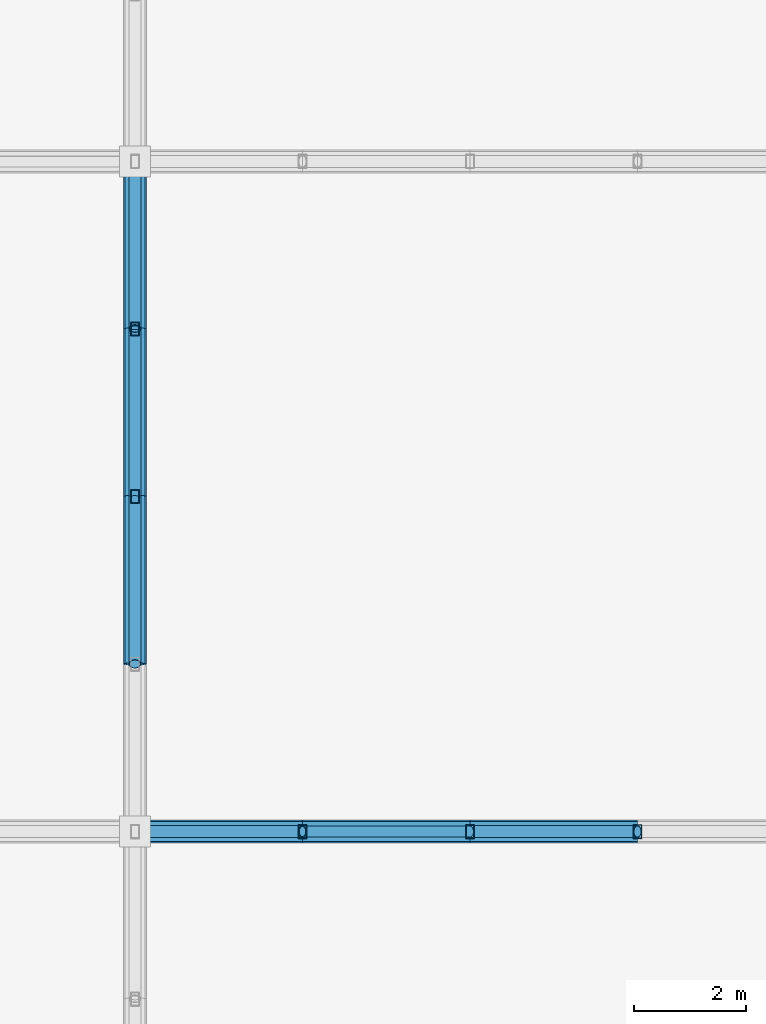
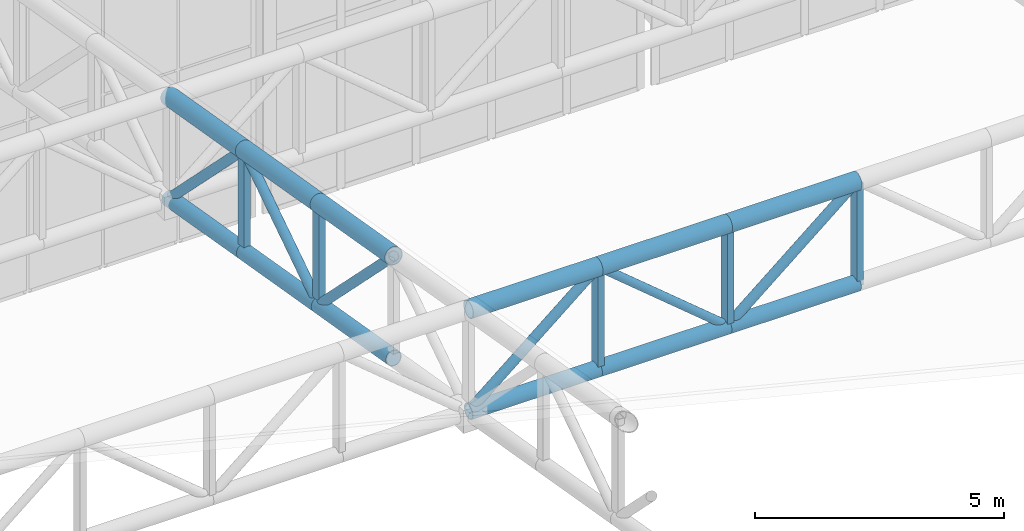
# One storey, part 107 of 239: 23 members.
"""IFC4 building model written with IfcOpenShell, lengths in metres."""

from ifc_helpers import new_model, si_unit, direction, frame, origin, origin_2d, place, context, subcontext, project, spatial, hollow_rectangle, hollow_circle, extrude, material, material_profile, profile_set, type_object, element, save


model = new_model("IFC4")

# Units and contexts
model_context = context("Model", 3, precision=1e-05, world=origin(), true_north=direction((0.0, 1.0)))
body_context = subcontext(model_context, "Body", "Model", "MODEL_VIEW")
ifc_project = project(units=[si_unit("LENGTHUNIT", "METRE"), si_unit("AREAUNIT", "SQUARE_METRE"), si_unit("VOLUMEUNIT", "CUBIC_METRE"), si_unit("PLANEANGLEUNIT", "RADIAN"), si_unit("MASSUNIT", "GRAM", prefix="KILO")], contexts=[model_context])

# Site, building, storey
site_placement = place(None, origin())
site = spatial("IfcSite", under=ifc_project, at=site_placement, CompositionType="ELEMENT")
building_placement = place(site_placement, origin())
building = spatial("IfcBuilding", under=site, at=building_placement, Name="Kaldris Quays Convention Centre", CompositionType="ELEMENT")
storey_placement = place(building_placement, frame((0.0, 0.0, 11.39990234375)))
storey = spatial("IfcBuildingStorey", under=building, at=storey_placement, Name="L02", CompositionType="ELEMENT", Elevation=11.39990234375)

# Members
ifc_material = material(Name="Steel S355J2H", Category="steel")
ifc_material_profile_1 = material_profile(ifc_material, hollow_circle(Radius=0.203125, WallThickness=0.01611328125, at=origin_2d()), Name="CHS 406.4x16")
ifc_profile_set_1 = profile_set([ifc_material_profile_1], Name="Steel S355J2H")
member_type_1 = type_object("IfcMemberType", Name="STRUCTURAL MEMBER SC01", PredefinedType="CHORD", material=ifc_profile_set_1)
for number, where, z_axis, x_axis, name in (
    (1, (74.0, 116.0, 13.7861328125), (1.0, 0.0, 0.0), (0.0, 1.0, 0.0), "SF-V1 Top Chord X 229"),
    (2, (77.0, 116.0, 13.7861328125), (1.0, 0.0, 0.0), (0.0, 1.0, 0.0), "SF-V1 Top Chord X 230"),
    (3, (80.0, 116.0, 13.7861328125), (1.0, 0.0, 0.0), (0.0, 1.0, 0.0), "SF-V1 Top Chord X 231"),
):
    element("IfcMember", number, at=place(storey_placement, frame(where, z_axis=z_axis, x_axis=x_axis)), inside=storey, type_object=member_type_1, Name=name, PredefinedType="CHORD", context=body_context, shape_type="SweptSolid", body=[
        extrude(hollow_circle(Radius=0.203125, WallThickness=0.01611328125, at=origin_2d()), origin(), (0.0, 0.0, 1.0), 3.0),
    ])
for number, where, z_axis, x_axis, name in (
    (4, (74.0, 119.0, 13.27197265625), (0.0, 0.985615766076, -0.169001661712), (-1.0, 0.0, 0.0), "SF-V1 Top Chord Y 442"),
    (5, (74.0, 122.0, 12.757568359375), (0.0, 0.98562912375, -0.168923741424), (-1.0, 0.0, 0.0), "SF-V1 Top Chord Y 443"),
    (6, (74.0, 125.0, 12.243408203125), (0.0, 0.985615766076, -0.169001661712), (-1.0, 0.0, 0.0), "SF-V1 Top Chord Y 444"),
):
    element("IfcMember", number, at=place(storey_placement, frame(where, z_axis=z_axis, x_axis=x_axis)), inside=storey, type_object=member_type_1, Name=name, PredefinedType="CHORD", context=body_context, shape_type="SweptSolid", body=[
        extrude(hollow_circle(Radius=0.203125, WallThickness=0.01611328125, at=origin_2d()), origin(), (0.0, 0.0, 1.0), 3.043701171875),
    ])
ifc_material_profile_2 = material_profile(ifc_material, hollow_circle(Radius=0.177734375, WallThickness=0.01611328125, at=origin_2d()), Name="CHS 355.6x16")
ifc_profile_set_2 = profile_set([ifc_material_profile_2], Name="Steel S355J2H")
member_type_2 = type_object("IfcMemberType", Name="STRUCTURAL MEMBER SC02", PredefinedType="CHORD", material=ifc_profile_set_2)
for number, where, z_axis, x_axis, name in (
    (7, (74.0, 116.0, 11.2861328125), (1.0, 0.0, 0.0), (0.0, 1.0, 0.0), "SF-V1 Bottom Chord X 229"),
    (8, (77.0, 116.0, 11.2861328125), (1.0, 0.0, 0.0), (0.0, 1.0, 0.0), "SF-V1 Bottom Chord X 230"),
    (9, (80.0, 116.0, 11.2861328125), (1.0, 0.0, 0.0), (0.0, 1.0, 0.0), "SF-V1 Bottom Chord X 231"),
):
    element("IfcMember", number, at=place(storey_placement, frame(where, z_axis=z_axis, x_axis=x_axis)), inside=storey, type_object=member_type_2, Name=name, PredefinedType="CHORD", context=body_context, shape_type="SweptSolid", body=[
        extrude(hollow_circle(Radius=0.177734375, WallThickness=0.01611328125, at=origin_2d()), origin(), (0.0, 0.0, 1.0), 3.0),
    ])
for number, where, z_axis, x_axis, name in (
    (10, (74.0, 119.0, 10.77197265625), (0.0, 0.985615766076, -0.169001661712), (-1.0, 0.0, 0.0), "SF-V1 Bottom Chord Y 442"),
    (11, (74.0, 122.0, 10.257568359375), (0.0, 0.98562912375, -0.168923741424), (-1.0, 0.0, 0.0), "SF-V1 Bottom Chord Y 443"),
    (12, (74.0, 125.0, 9.743408203125), (0.0, 0.985615766076, -0.169001661712), (-1.0, 0.0, 0.0), "SF-V1 Bottom Chord Y 444"),
):
    element("IfcMember", number, at=place(storey_placement, frame(where, z_axis=z_axis, x_axis=x_axis)), inside=storey, type_object=member_type_2, Name=name, PredefinedType="CHORD", context=body_context, shape_type="SweptSolid", body=[
        extrude(hollow_circle(Radius=0.177734375, WallThickness=0.01611328125, at=origin_2d()), origin(), (0.0, 0.0, 1.0), 3.043701171875),
    ])
ifc_material_profile_3 = material_profile(ifc_material, hollow_circle(Radius=0.109619140625, WallThickness=0.010009765625, at=origin_2d()), Name="CHS 219.1x10")
ifc_profile_set_3 = profile_set([ifc_material_profile_3], Name="Steel S355J2H")
member_type_3 = type_object("IfcMemberType", Name="STRUCTURAL MEMBER SWB1", PredefinedType="BRACE", material=ifc_profile_set_3)
for number, where, z_axis, x_axis, name in (
    (13, (74.0, 116.0, 11.2861328125), (0.768221279597, 0.0, 0.640184399664), (0.0, 1.0, 0.0), "SF-V1 Web Diagonal X 229"),
    (14, (80.0, 116.0, 11.2861328125), (0.768221279597, 0.0, 0.640184399664), (0.0, 1.0, 0.0), "SF-V1 Web Diagonal X 231"),
):
    element("IfcMember", number, at=place(storey_placement, frame(where, z_axis=z_axis, x_axis=x_axis)), inside=storey, type_object=member_type_3, Name=name, PredefinedType="BRACE", context=body_context, shape_type="SweptSolid", body=[
        extrude(hollow_circle(Radius=0.109619140625, WallThickness=0.010009765625, at=origin_2d()), origin(), (0.0, 0.0, 1.0), 3.905029296875),
    ])
member_1_placement = place(storey_placement, frame((74.0, 122.0, 10.257568359375), z_axis=(0.0, -0.705411261057, 0.708798245465), x_axis=(1.0, 0.0, 0.0)))
element("IfcMember", 15, at=member_1_placement, inside=storey, type_object=member_type_3, Name="SF-V1 Web Diagonal Y 442", PredefinedType="BRACE", context=body_context, shape_type="SweptSolid", body=[
    extrude(hollow_circle(Radius=0.109619140625, WallThickness=0.010009765625, at=origin_2d()), origin(), (0.0, 0.0, 1.0), 4.2529296875),
])
member_2_placement = place(storey_placement, frame((74.0, 122.0, 10.257568359375), z_axis=(0.0, 0.833862389808, 0.551972385962), x_axis=(-1.0, 0.0, 0.0)))
element("IfcMember", 16, at=member_2_placement, inside=storey, type_object=member_type_3, Name="SF-V1 Web Diagonal Y 443", PredefinedType="BRACE", context=body_context, shape_type="SweptSolid", body=[
    extrude(hollow_circle(Radius=0.109619140625, WallThickness=0.010009765625, at=origin_2d()), origin(), (0.0, 0.0, 1.0), 3.59765625),
])
member_3_placement = place(storey_placement, frame((74.0, 128.0, 9.22900390625), z_axis=(0.0, -0.705411261057, 0.708798245465), x_axis=(1.0, 0.0, 0.0)))
element("IfcMember", 17, at=member_3_placement, inside=storey, type_object=member_type_3, Name="SF-V1 Web Diagonal Y 444", PredefinedType="BRACE", context=body_context, shape_type="SweptSolid", body=[
    extrude(hollow_circle(Radius=0.109619140625, WallThickness=0.010009765625, at=origin_2d()), origin(), (0.0, 0.0, 1.0), 4.2529296875),
])
ifc_material_profile_4 = material_profile(ifc_material, hollow_circle(Radius=0.096923828125, WallThickness=0.008056640625, at=origin_2d()), Name="CHS 193.7x8")
ifc_profile_set_4 = profile_set([ifc_material_profile_4], Name="Steel S355J2H")
member_type_4 = type_object("IfcMemberType", Name="STRUCTURAL MEMBER SWB3", PredefinedType="BRACE", material=ifc_profile_set_4)
member_4_placement = place(storey_placement, frame((80.0, 116.0, 11.2861328125), z_axis=(-0.768221279597, 0.0, 0.640184399664), x_axis=(0.0, -1.0, 0.0)))
element("IfcMember", 18, at=member_4_placement, inside=storey, type_object=member_type_4, Name="SF-V1 Web Diagonal X 230", PredefinedType="BRACE", context=body_context, shape_type="SweptSolid", body=[
    extrude(hollow_circle(Radius=0.096923828125, WallThickness=0.008056640625, at=origin_2d()), origin(), (0.0, 0.0, 1.0), 3.905029296875),
])
ifc_material_profile_5 = material_profile(ifc_material, hollow_rectangle(XDim=0.14990234375, YDim=0.25, WallThickness=0.010009765625, at=origin_2d()), Name="RHS 250x150x10")
ifc_profile_set_5 = profile_set([ifc_material_profile_5], Name="Steel S355J2H")
member_type_5 = type_object("IfcMemberType", Name="STRUCTURAL MEMBER TTV1", PredefinedType="POST", material=ifc_profile_set_5)
for number, where, z_axis, x_axis, name in (
    (19, (74.0, 122.0, 10.257568359375), (0.0, 0.0, 1.0), (1.0, 0.0, 0.0), "SF-V1 Space-Frame Post 230"),
    (20, (74.0, 125.0, 9.743408203125), (0.0, 0.0, 1.0), (1.0, 0.0, 0.0), "SF-V1 Space-Frame Post 231"),
    (21, (77.0, 116.0, 11.2861328125), (0.0, 0.0, 1.0), (1.0, 0.0, 0.0), "SF-V1 Space-Frame Post 242"),
    (22, (80.0, 116.0, 11.2861328125), (0.0, 0.0, 1.0), (1.0, 0.0, 0.0), "SF-V1 Space-Frame Post 250"),
    (23, (83.0, 116.0, 11.2861328125), (0.0, 0.0, 1.0), (1.0, 0.0, 0.0), "SF-V1 Space-Frame Post 258"),
):
    element("IfcMember", number, at=place(storey_placement, frame(where, z_axis=z_axis, x_axis=x_axis)), inside=storey, type_object=member_type_5, Name=name, PredefinedType="POST", context=body_context, shape_type="SweptSolid", body=[
        extrude(hollow_rectangle(XDim=0.14990234375, YDim=0.25, WallThickness=0.010009765625, at=origin_2d()), origin(), (0.0, 0.0, 1.0), 2.5),
    ])

save(model, "model.ifc")
